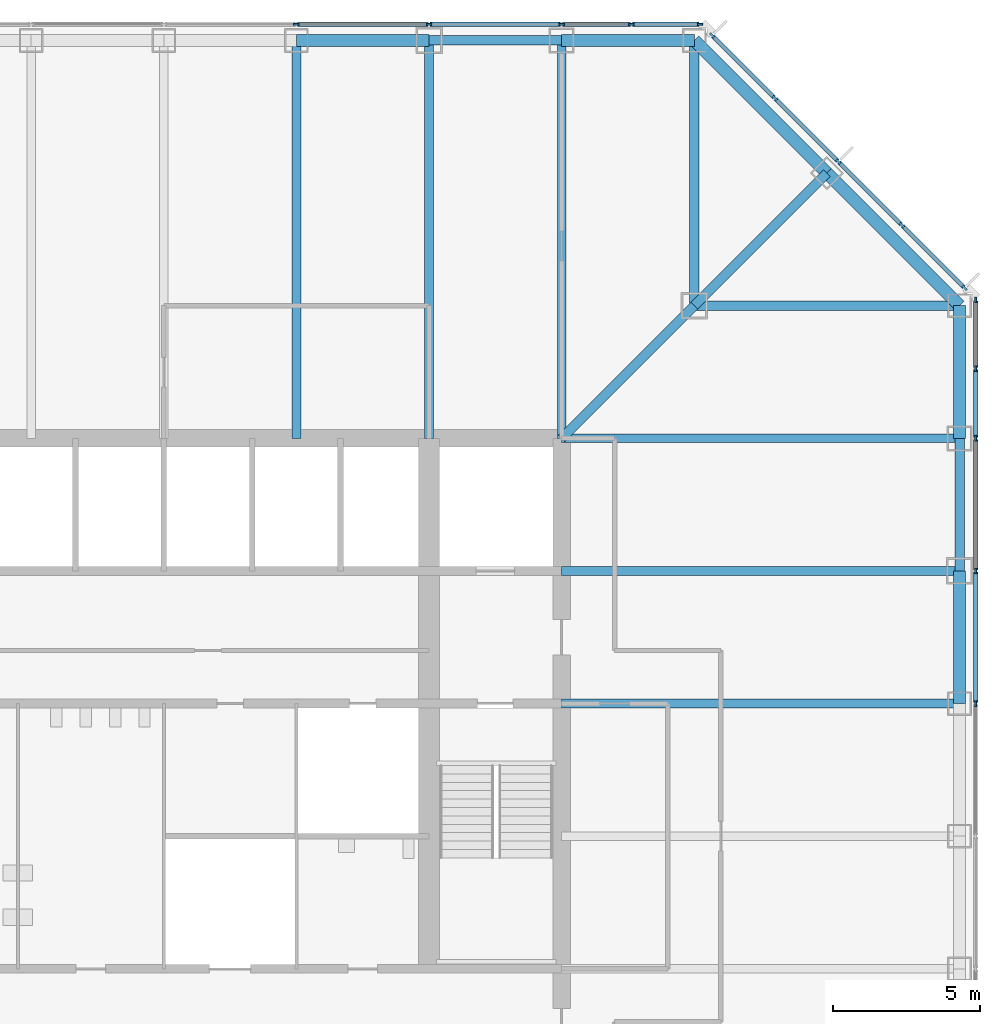
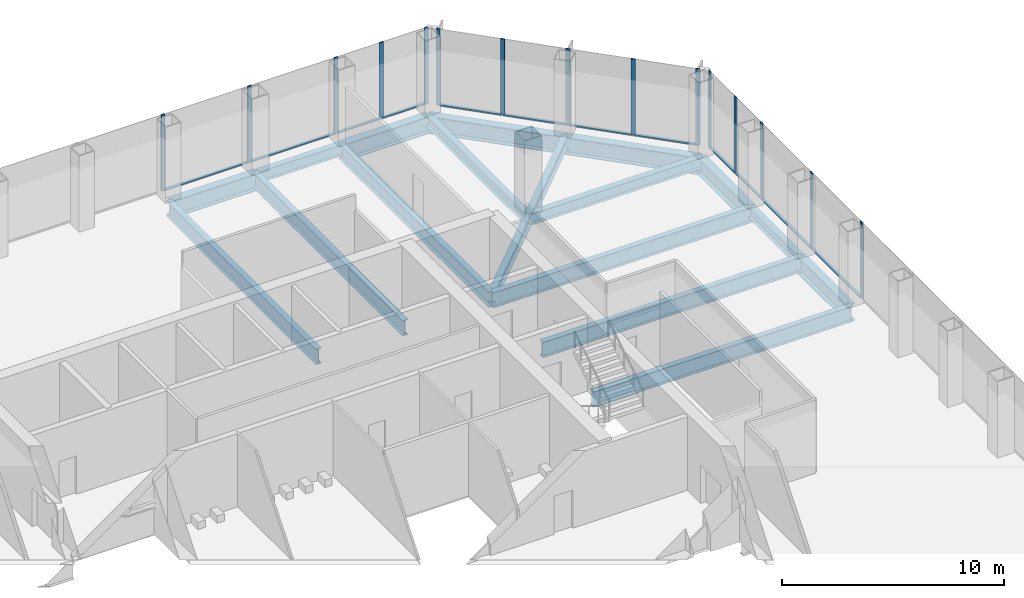
# One storey, part 6 of 12: 27 members, 18 beams, 3 elements without a shape of their own.
"""IFC4 building model written with IfcOpenShell, lengths in metres."""

from ifc_helpers import new_model, si_unit, direction, frame, origin, origin_2d, place, context, subcontext, project, spatial, rectangle, i_section, extrude, material, material_profile, profile_set, type_object, element, aggregate, save


model = new_model("IFC4")

# Units and contexts
model_context = context("Model", 3, precision=1e-05, world=origin(), true_north=direction((0.0, 1.0)))
body_context = subcontext(model_context, "Body", "Model", "MODEL_VIEW")
ifc_project = project(units=[si_unit("LENGTHUNIT", "METRE"), si_unit("AREAUNIT", "SQUARE_METRE"), si_unit("VOLUMEUNIT", "CUBIC_METRE"), si_unit("PLANEANGLEUNIT", "RADIAN"), si_unit("MASSUNIT", "GRAM", prefix="KILO")], contexts=[model_context])

# Site, building, storey
site_placement = place(None, origin())
site = spatial("IfcSite", under=ifc_project, at=site_placement, CompositionType="ELEMENT")
building_placement = place(site_placement, origin())
building = spatial("IfcBuilding", under=site, at=building_placement, Name="Corais Broadcast Tower", CompositionType="ELEMENT")
storey_placement = place(building_placement, frame((0.0, 0.0, 92.0)))
storey = spatial("IfcBuildingStorey", under=building, at=storey_placement, Name="L20", CompositionType="ELEMENT", Elevation=92.0)

# Beams
ifc_material_1 = material(Name="Steel ASTM A572 Grade 50", Category="steel")
ifc_material_profile_1 = material_profile(ifc_material_1, i_section(OverallWidth=0.323974609375, OverallDepth=0.611083984375, WebThickness=0.0126953125, FlangeThickness=0.01904296875, at=origin_2d()), Name="W610x155")
ifc_profile_set_1 = profile_set([ifc_material_profile_1], Name="Steel ASTM A572 Grade 50")
beam_type_1 = type_object("IfcBeamType", Name="Chamfer tie W610x155", PredefinedType="BEAM", material=ifc_profile_set_1)
beam_1_placement = place(storey_placement, frame((49.5, 49.5, -0.465576171875), z_axis=(-0.707106781187, -0.707106781187, 0.0), x_axis=(0.707106781187, -0.707106781187, 0.0)))
element("IfcBeam", 1, at=beam_1_placement, inside=storey, type_object=beam_type_1, Name="B5 M/14 to L/13", PredefinedType="BEAM", context=body_context, shape_type="SweptSolid", body=[
    extrude(i_section(OverallWidth=0.323974609375, OverallDepth=0.611083984375, WebThickness=0.0126953125, FlangeThickness=0.01904296875, at=origin_2d()), origin(), (0.0, 0.0, 1.0), 6.364013671875),
])
ifc_material_2 = material(Name="Steel ASTM A572 Grade 50", Category="steel")
ifc_material_profile_2 = material_profile(ifc_material_2, i_section(OverallWidth=0.323974609375, OverallDepth=0.611083984375, WebThickness=0.0126953125, FlangeThickness=0.01904296875, at=origin_2d()), Name="W610x155")
ifc_profile_set_2 = profile_set([ifc_material_profile_2], Name="Steel ASTM A572 Grade 50")
beam_type_2 = type_object("IfcBeamType", Name="Corner diagonal W610x155", PredefinedType="BEAM", material=ifc_profile_set_2)
beam_2_placement = place(storey_placement, frame((45.0, 45.0, -0.465576171875), z_axis=(-0.707106781187, -0.707106781187, 0.0), x_axis=(0.707106781187, -0.707106781187, 0.0)))
element("IfcBeam", 2, at=beam_2_placement, inside=storey, type_object=beam_type_2, Name="B6 L/13 to K/12", PredefinedType="BEAM", context=body_context, shape_type="SweptSolid", body=[
    extrude(i_section(OverallWidth=0.323974609375, OverallDepth=0.611083984375, WebThickness=0.0126953125, FlangeThickness=0.01904296875, at=origin_2d()), origin(), (0.0, 0.0, 1.0), 6.364013671875),
])
ifc_material_3 = material(Name="Steel ASTM A572 Grade 50", Category="steel")
ifc_material_profile_3 = material_profile(ifc_material_3, i_section(OverallWidth=0.323974609375, OverallDepth=0.611083984375, WebThickness=0.0126953125, FlangeThickness=0.01904296875, at=origin_2d()), Name="W610x155")
ifc_profile_set_3 = profile_set([ifc_material_profile_3], Name="Steel ASTM A572 Grade 50")
beam_type_3 = type_object("IfcBeamType", Name="Corner girder W610x155", PredefinedType="BEAM", material=ifc_profile_set_3)
for number, where, z_axis, x_axis, name in (
    (3, (45.0, 54.0, -0.465576171875), (0.0, -1.0, 0.0), (1.0, 0.0, 0.0), "B4 N/13 to L/13"),
    (4, (54.0, 45.0, -0.465576171875), (-1.0, 0.0, 0.0), (0.0, -1.0, 0.0), "B4 L/15 to L/13"),
):
    element("IfcBeam", number, at=place(storey_placement, frame(where, z_axis=z_axis, x_axis=x_axis)), inside=storey, type_object=beam_type_3, Name=name, PredefinedType="BEAM", context=body_context, shape_type="SweptSolid", body=[
        extrude(i_section(OverallWidth=0.323974609375, OverallDepth=0.611083984375, WebThickness=0.0126953125, FlangeThickness=0.01904296875, at=origin_2d()), origin(), (0.0, 0.0, 1.0), 9.0),
    ])
ifc_material_4 = material(Name="Steel ASTM A572 Grade 50", Category="steel")
ifc_material_profile_4 = material_profile(ifc_material_4, i_section(OverallWidth=0.2939453125, OverallDepth=0.85107421875, WebThickness=0.01611328125, FlangeThickness=0.02685546875, at=origin_2d()), Name="W840x226")
ifc_profile_set_4 = profile_set([ifc_material_profile_4], Name="Steel ASTM A572 Grade 50")
beam_type_4 = type_object("IfcBeamType", Name="Floor beam W840x226", PredefinedType="BEAM", material=ifc_profile_set_4)
for number, where, z_axis, x_axis, name in (
    (5, (31.5, 54.0, -0.58544921875), (0.0, -1.0, 0.0), (1.0, 0.0, 0.0), "B1 N/10 to K/10"),
    (6, (36.0, 54.0, -0.58544921875), (0.0, -1.0, 0.0), (1.0, 0.0, 0.0), "B1 N/11 to K/11"),
    (7, (40.5, 54.0, -0.58544921875), (0.0, -1.0, 0.0), (1.0, 0.0, 0.0), "B1 N/12 to K/12"),
    (8, (54.0, 31.5, -0.58544921875), (-1.0, 0.0, 0.0), (0.0, -1.0, 0.0), "B1 H/15 to H/12"),
    (9, (54.0, 36.0, -0.58544921875), (-1.0, 0.0, 0.0), (0.0, -1.0, 0.0), "B1 J/15 to J/12"),
    (10, (54.0, 40.5, -0.58544921875), (-1.0, 0.0, 0.0), (0.0, -1.0, 0.0), "B1 K/15 to K/12"),
):
    element("IfcBeam", number, at=place(storey_placement, frame(where, z_axis=z_axis, x_axis=x_axis)), inside=storey, type_object=beam_type_4, Name=name, PredefinedType="BEAM", context=body_context, shape_type="SweptSolid", body=[
        extrude(i_section(OverallWidth=0.2939453125, OverallDepth=0.85107421875, WebThickness=0.01611328125, FlangeThickness=0.02685546875, at=origin_2d()), origin(), (0.0, 0.0, 1.0), 13.5),
    ])

# Curtain wall, members
ifc_material_5 = material(Name="Aluminium and glass", Category="aluminium")
curtain_wall_type = type_object("IfcCurtainWallType", Name="Unitised fritted curtain wall CW1", PredefinedType="NOTDEFINED", material=ifc_material_5)
curtain_wall_1_placement = place(storey_placement, origin())
curtain_wall_1 = element("IfcCurtainWall", 11, at=curtain_wall_1_placement, inside=storey, type_object=curtain_wall_type, Name="CW1 curtain wall L20 4", PredefinedType="NOTDEFINED")
ifc_material_6 = material(Name="Aluminium 6063-T6", Category="aluminium")
ifc_material_profile_5 = material_profile(ifc_material_6, rectangle(XDim=0.06494140625, YDim=0.199951171875, at=origin_2d()), Name="Mullion CW1 65x200")
ifc_profile_set_5 = profile_set([ifc_material_profile_5], Name="Aluminium 6063-T6")
member_type_1 = type_object("IfcMemberType", Name="Mullion CW1 65x200", PredefinedType="MULLION", material=ifc_profile_set_5)
member_1_placement = place(storey_placement, frame((31.5, 54.550048828125, 0.0), z_axis=(0.0, 0.0, 1.0), x_axis=(0.0, 1.0, 0.0)))
member_1 = element("IfcMember", 12, at=member_1_placement, type_object=member_type_1, Name="CW1 mullion 7", PredefinedType="MULLION", context=body_context, shape_type="SweptSolid", body=[
    extrude(rectangle(XDim=0.06494140625, YDim=0.199951171875, at=origin_2d()), origin(), (0.0, 0.0, 1.0), 4.199951171875),
])
member_2_placement = place(storey_placement, frame((36.0, 54.550048828125, 0.0), z_axis=(0.0, 0.0, 1.0), x_axis=(0.0, 1.0, 0.0)))
member_2 = element("IfcMember", 13, at=member_2_placement, type_object=member_type_1, Name="CW1 mullion 8", PredefinedType="MULLION", context=body_context, shape_type="SweptSolid", body=[
    extrude(rectangle(XDim=0.06494140625, YDim=0.199951171875, at=origin_2d()), origin(), (0.0, 0.0, 1.0), 4.199951171875),
])
member_3_placement = place(storey_placement, frame((40.5, 54.550048828125, 0.0), z_axis=(0.0, 0.0, 1.0), x_axis=(0.0, 1.0, 0.0)))
member_3 = element("IfcMember", 14, at=member_3_placement, type_object=member_type_1, Name="CW1 mullion 9", PredefinedType="MULLION", context=body_context, shape_type="SweptSolid", body=[
    extrude(rectangle(XDim=0.06494140625, YDim=0.199951171875, at=origin_2d()), origin(), (0.0, 0.0, 1.0), 4.199951171875),
])
member_4_placement = place(storey_placement, frame((42.864013671875, 54.550048828125, 0.0), z_axis=(0.0, 0.0, 1.0), x_axis=(0.0, 1.0, 0.0)))
member_4 = element("IfcMember", 15, at=member_4_placement, type_object=member_type_1, Name="CW1 mullion 10", PredefinedType="MULLION", context=body_context, shape_type="SweptSolid", body=[
    extrude(rectangle(XDim=0.06494140625, YDim=0.199951171875, at=origin_2d()), origin(), (0.0, 0.0, 1.0), 4.199951171875),
])
member_5_placement = place(storey_placement, frame((45.1953125, 54.550048828125, 0.0), z_axis=(0.0, 0.0, 1.0), x_axis=(0.0, 1.0, 0.0)))
member_5 = element("IfcMember", 16, at=member_5_placement, type_object=member_type_1, Name="CW1 mullion 11", PredefinedType="MULLION", context=body_context, shape_type="SweptSolid", body=[
    extrude(rectangle(XDim=0.06494140625, YDim=0.199951171875, at=origin_2d()), origin(), (0.0, 0.0, 1.0), 4.199951171875),
])

curtain_wall_2_placement = place(storey_placement, origin())
curtain_wall_2 = element("IfcCurtainWall", 17, at=curtain_wall_2_placement, inside=storey, type_object=curtain_wall_type, Name="CW1 curtain wall L20 5", PredefinedType="NOTDEFINED")
member_6_placement = place(storey_placement, frame((45.6044921875, 54.17333984375, 0.0), z_axis=(0.0, 0.0, 1.0), x_axis=(0.707106781187, 0.707106781187, 0.0)))
member_6 = element("IfcMember", 18, at=member_6_placement, type_object=member_type_1, Name="CW1 mullion 1", PredefinedType="MULLION", context=body_context, shape_type="SweptSolid", body=[
    extrude(rectangle(XDim=0.06494140625, YDim=0.199951171875, at=origin_2d()), origin(), (0.0, 0.0, 1.0), 4.199951171875),
])
member_7_placement = place(storey_placement, frame((47.735107421875, 52.042724609375, 0.0), z_axis=(0.0, 0.0, 1.0), x_axis=(0.707106781187, 0.707106781187, 0.0)))
member_7 = element("IfcMember", 19, at=member_7_placement, type_object=member_type_1, Name="CW1 mullion 2", PredefinedType="MULLION", context=body_context, shape_type="SweptSolid", body=[
    extrude(rectangle(XDim=0.06494140625, YDim=0.199951171875, at=origin_2d()), origin(), (0.0, 0.0, 1.0), 4.199951171875),
])
member_8_placement = place(storey_placement, frame((49.888916015625, 49.888916015625, 0.0), z_axis=(0.0, 0.0, 1.0), x_axis=(0.707106781187, 0.707106781187, 0.0)))
member_8 = element("IfcMember", 20, at=member_8_placement, type_object=member_type_1, Name="CW1 mullion 3", PredefinedType="MULLION", context=body_context, shape_type="SweptSolid", body=[
    extrude(rectangle(XDim=0.06494140625, YDim=0.199951171875, at=origin_2d()), origin(), (0.0, 0.0, 1.0), 4.199951171875),
])
member_9_placement = place(storey_placement, frame((52.042724609375, 47.735107421875, 0.0), z_axis=(0.0, 0.0, 1.0), x_axis=(0.707106781187, 0.707106781187, 0.0)))
member_9 = element("IfcMember", 21, at=member_9_placement, type_object=member_type_1, Name="CW1 mullion 4", PredefinedType="MULLION", context=body_context, shape_type="SweptSolid", body=[
    extrude(rectangle(XDim=0.06494140625, YDim=0.199951171875, at=origin_2d()), origin(), (0.0, 0.0, 1.0), 4.199951171875),
])
member_10_placement = place(storey_placement, frame((54.17333984375, 45.6044921875, 0.0), z_axis=(0.0, 0.0, 1.0), x_axis=(0.707106781187, 0.707106781187, 0.0)))
member_10 = element("IfcMember", 22, at=member_10_placement, type_object=member_type_1, Name="CW1 mullion 5", PredefinedType="MULLION", context=body_context, shape_type="SweptSolid", body=[
    extrude(rectangle(XDim=0.06494140625, YDim=0.199951171875, at=origin_2d()), origin(), (0.0, 0.0, 1.0), 4.199951171875),
])

curtain_wall_3_placement = place(storey_placement, origin())
curtain_wall_3 = element("IfcCurtainWall", 23, at=curtain_wall_3_placement, inside=storey, type_object=curtain_wall_type, Name="CW1 curtain wall L20 6", PredefinedType="NOTDEFINED")
member_11_placement = place(storey_placement, frame((54.550048828125, 45.1953125, 0.0), z_axis=(0.0, 0.0, 1.0), x_axis=(1.0, 0.0, 0.0)))
member_11 = element("IfcMember", 24, at=member_11_placement, type_object=member_type_1, Name="CW1 mullion 1", PredefinedType="MULLION", context=body_context, shape_type="SweptSolid", body=[
    extrude(rectangle(XDim=0.06494140625, YDim=0.199951171875, at=origin_2d()), origin(), (0.0, 0.0, 1.0), 4.199951171875),
])
member_12_placement = place(storey_placement, frame((54.550048828125, 42.864013671875, 0.0), z_axis=(0.0, 0.0, 1.0), x_axis=(1.0, 0.0, 0.0)))
member_12 = element("IfcMember", 25, at=member_12_placement, type_object=member_type_1, Name="CW1 mullion 2", PredefinedType="MULLION", context=body_context, shape_type="SweptSolid", body=[
    extrude(rectangle(XDim=0.06494140625, YDim=0.199951171875, at=origin_2d()), origin(), (0.0, 0.0, 1.0), 4.199951171875),
])
member_13_placement = place(storey_placement, frame((54.550048828125, 40.5, 0.0), z_axis=(0.0, 0.0, 1.0), x_axis=(1.0, 0.0, 0.0)))
member_13 = element("IfcMember", 26, at=member_13_placement, type_object=member_type_1, Name="CW1 mullion 3", PredefinedType="MULLION", context=body_context, shape_type="SweptSolid", body=[
    extrude(rectangle(XDim=0.06494140625, YDim=0.199951171875, at=origin_2d()), origin(), (0.0, 0.0, 1.0), 4.199951171875),
])
member_14_placement = place(storey_placement, frame((54.550048828125, 36.0, 0.0), z_axis=(0.0, 0.0, 1.0), x_axis=(1.0, 0.0, 0.0)))
member_14 = element("IfcMember", 27, at=member_14_placement, type_object=member_type_1, Name="CW1 mullion 4", PredefinedType="MULLION", context=body_context, shape_type="SweptSolid", body=[
    extrude(rectangle(XDim=0.06494140625, YDim=0.199951171875, at=origin_2d()), origin(), (0.0, 0.0, 1.0), 4.199951171875),
])
member_15_placement = place(storey_placement, frame((54.550048828125, 31.5, 0.0), z_axis=(0.0, 0.0, 1.0), x_axis=(1.0, 0.0, 0.0)))
member_15 = element("IfcMember", 28, at=member_15_placement, type_object=member_type_1, Name="CW1 mullion 5", PredefinedType="MULLION", context=body_context, shape_type="SweptSolid", body=[
    extrude(rectangle(XDim=0.06494140625, YDim=0.199951171875, at=origin_2d()), origin(), (0.0, 0.0, 1.0), 4.199951171875),
])

# Beams
ifc_material_7 = material(Name="Steel ASTM A572 Grade 50", Category="steel")
ifc_material_profile_6 = material_profile(ifc_material_7, i_section(OverallWidth=0.323974609375, OverallDepth=0.611083984375, WebThickness=0.0126953125, FlangeThickness=0.01904296875, at=origin_2d()), Name="W610x155")
ifc_profile_set_6 = profile_set([ifc_material_profile_6], Name="Steel ASTM A572 Grade 50")
beam_type_5 = type_object("IfcBeamType", Name="Pinned spandrel W610x155", PredefinedType="BEAM", material=ifc_profile_set_6)
for number, where, z_axis, x_axis, name in (
    (29, (40.5, 54.0, -0.465576171875), (-1.0, 0.0, 0.0), (0.0, -1.0, 0.0), "SB6 N/12 to N/11"),
    (30, (54.0, 36.0, -0.465576171875), (0.0, 1.0, 0.0), (-1.0, 0.0, 0.0), "SB6 J/15 to K/15"),
):
    element("IfcBeam", number, at=place(storey_placement, frame(where, z_axis=z_axis, x_axis=x_axis)), inside=storey, type_object=beam_type_5, Name=name, PredefinedType="BEAM", context=body_context, shape_type="SweptSolid", body=[
        extrude(i_section(OverallWidth=0.323974609375, OverallDepth=0.611083984375, WebThickness=0.0126953125, FlangeThickness=0.01904296875, at=origin_2d()), origin(), (0.0, 0.0, 1.0), 4.5),
    ])
ifc_material_8 = material(Name="Steel ASTM A572 Grade 50", Category="steel")
ifc_material_profile_7 = material_profile(ifc_material_8, i_section(OverallWidth=0.4189453125, OverallDepth=0.94189453125, WebThickness=0.022216796875, FlangeThickness=0.03662109375, at=origin_2d()), Name="W920x345")
ifc_profile_set_7 = profile_set([ifc_material_profile_7], Name="Steel ASTM A572 Grade 50")
beam_type_6 = type_object("IfcBeamType", Name="Transfer spandrel W920x345", PredefinedType="BEAM", material=ifc_profile_set_7)
for number, where, z_axis, x_axis, name in (
    (31, (36.0, 54.0, -0.631103515625), (-1.0, 0.0, 0.0), (0.0, -1.0, 0.0), "SB4 N/11 to N/10"),
    (32, (45.0, 54.0, -0.631103515625), (-1.0, 0.0, 0.0), (0.0, -1.0, 0.0), "SB4 N/13 to N/12"),
):
    element("IfcBeam", number, at=place(storey_placement, frame(where, z_axis=z_axis, x_axis=x_axis)), inside=storey, type_object=beam_type_6, Name=name, PredefinedType="BEAM", context=body_context, shape_type="SweptSolid", body=[
        extrude(i_section(OverallWidth=0.4189453125, OverallDepth=0.94189453125, WebThickness=0.022216796875, FlangeThickness=0.03662109375, at=origin_2d()), origin(), (0.0, 0.0, 1.0), 4.5),
    ])
beam_3_placement = place(storey_placement, frame((49.5, 49.5, -0.631103515625), z_axis=(-0.707106781187, 0.707106781187, 0.0), x_axis=(-0.707106781187, -0.707106781187, 0.0)))
element("IfcBeam", 33, at=beam_3_placement, inside=storey, type_object=beam_type_6, Name="SB4 M/14 to N/13", PredefinedType="BEAM", context=body_context, shape_type="SweptSolid", body=[
    extrude(i_section(OverallWidth=0.4189453125, OverallDepth=0.94189453125, WebThickness=0.022216796875, FlangeThickness=0.03662109375, at=origin_2d()), origin(), (0.0, 0.0, 1.0), 6.364013671875),
])
for number, where, z_axis, x_axis, name in (
    (34, (54.0, 31.5, -0.631103515625), (0.0, 1.0, 0.0), (-1.0, 0.0, 0.0), "SB4 H/15 to J/15"),
    (35, (54.0, 40.5, -0.631103515625), (0.0, 1.0, 0.0), (-1.0, 0.0, 0.0), "SB4 K/15 to L/15"),
):
    element("IfcBeam", number, at=place(storey_placement, frame(where, z_axis=z_axis, x_axis=x_axis)), inside=storey, type_object=beam_type_6, Name=name, PredefinedType="BEAM", context=body_context, shape_type="SweptSolid", body=[
        extrude(i_section(OverallWidth=0.4189453125, OverallDepth=0.94189453125, WebThickness=0.022216796875, FlangeThickness=0.03662109375, at=origin_2d()), origin(), (0.0, 0.0, 1.0), 4.5),
    ])
beam_4_placement = place(storey_placement, frame((54.0, 45.0, -0.631103515625), z_axis=(-0.707106781187, 0.707106781187, 0.0), x_axis=(-0.707106781187, -0.707106781187, 0.0)))
element("IfcBeam", 36, at=beam_4_placement, inside=storey, type_object=beam_type_6, Name="SB4 L/15 to M/14", PredefinedType="BEAM", context=body_context, shape_type="SweptSolid", body=[
    extrude(i_section(OverallWidth=0.4189453125, OverallDepth=0.94189453125, WebThickness=0.022216796875, FlangeThickness=0.03662109375, at=origin_2d()), origin(), (0.0, 0.0, 1.0), 6.364013671875),
])

# Member
ifc_material_9 = material(Name="Aluminium 6063-T6", Category="aluminium")
ifc_material_profile_8 = material_profile(ifc_material_9, rectangle(XDim=0.139892578125, YDim=0.06494140625, at=origin_2d()), Name="Transom CW1 65x140")
ifc_profile_set_8 = profile_set([ifc_material_profile_8], Name="Aluminium 6063-T6")
member_type_2 = type_object("IfcMemberType", Name="Transom CW1 65x140", PredefinedType="USERDEFINED", material=ifc_profile_set_8)
member_16_placement = place(storey_placement, frame((31.532470703125, 54.550048828125, 0.032470703125), z_axis=(1.0, 0.0, 0.0), x_axis=(0.0, 1.0, 0.0)))
member_16 = element("IfcMember", 37, at=member_16_placement, type_object=member_type_2, Name="CW1 transom 7.1", ObjectType="TRANSOM", PredefinedType="USERDEFINED", context=body_context, shape_type="SweptSolid", body=[
    extrude(rectangle(XDim=0.139892578125, YDim=0.06494140625, at=origin_2d()), origin(), (0.0, 0.0, 1.0), 4.43505859375),
])

member_17_placement = place(storey_placement, frame((36.032470703125, 54.550048828125, 0.032470703125), z_axis=(1.0, 0.0, 0.0), x_axis=(0.0, 1.0, 0.0)))
member_17 = element("IfcMember", 38, at=member_17_placement, type_object=member_type_2, Name="CW1 transom 8.1", ObjectType="TRANSOM", PredefinedType="USERDEFINED", context=body_context, shape_type="SweptSolid", body=[
    extrude(rectangle(XDim=0.139892578125, YDim=0.06494140625, at=origin_2d()), origin(), (0.0, 0.0, 1.0), 4.43505859375),
])

member_18_placement = place(storey_placement, frame((40.532470703125, 54.550048828125, 0.032470703125), z_axis=(1.0, 0.0, 0.0), x_axis=(0.0, 1.0, 0.0)))
member_18 = element("IfcMember", 39, at=member_18_placement, type_object=member_type_2, Name="CW1 transom 9.1", ObjectType="TRANSOM", PredefinedType="USERDEFINED", context=body_context, shape_type="SweptSolid", body=[
    extrude(rectangle(XDim=0.139892578125, YDim=0.06494140625, at=origin_2d()), origin(), (0.0, 0.0, 1.0), 2.298828125),
])

member_19_placement = place(storey_placement, frame((42.896484375, 54.550048828125, 0.032470703125), z_axis=(1.0, 0.0, 0.0), x_axis=(0.0, 1.0, 0.0)))
member_19 = element("IfcMember", 40, at=member_19_placement, type_object=member_type_2, Name="CW1 transom 10.1", ObjectType="TRANSOM", PredefinedType="USERDEFINED", context=body_context, shape_type="SweptSolid", body=[
    extrude(rectangle(XDim=0.139892578125, YDim=0.06494140625, at=origin_2d()), origin(), (0.0, 0.0, 1.0), 2.266357421875),
])

aggregate(curtain_wall_1, [member_1, member_2, member_3, member_4, member_5, member_16, member_17, member_18, member_19])

member_20_placement = place(storey_placement, frame((45.62744140625, 54.150390625, 0.032470703125), z_axis=(0.707106781187, -0.707106781187, 0.0), x_axis=(0.707106781187, 0.707106781187, 0.0)))
member_20 = element("IfcMember", 41, at=member_20_placement, type_object=member_type_2, Name="CW1 transom 1.1", ObjectType="TRANSOM", PredefinedType="USERDEFINED", context=body_context, shape_type="SweptSolid", body=[
    extrude(rectangle(XDim=0.139892578125, YDim=0.06494140625, at=origin_2d()), origin(), (0.0, 0.0, 1.0), 2.9482421875),
])

member_21_placement = place(storey_placement, frame((47.758056640625, 52.019775390625, 0.032470703125), z_axis=(0.707106781187, -0.707106781187, 0.0), x_axis=(0.707106781187, 0.707106781187, 0.0)))
member_21 = element("IfcMember", 42, at=member_21_placement, type_object=member_type_2, Name="CW1 transom 2.1", ObjectType="TRANSOM", PredefinedType="USERDEFINED", context=body_context, shape_type="SweptSolid", body=[
    extrude(rectangle(XDim=0.139892578125, YDim=0.06494140625, at=origin_2d()), origin(), (0.0, 0.0, 1.0), 2.98095703125),
])

member_22_placement = place(storey_placement, frame((49.911865234375, 49.865966796875, 0.032470703125), z_axis=(0.707106781187, -0.707106781187, 0.0), x_axis=(0.707106781187, 0.707106781187, 0.0)))
member_22 = element("IfcMember", 43, at=member_22_placement, type_object=member_type_2, Name="CW1 transom 3.1", ObjectType="TRANSOM", PredefinedType="USERDEFINED", context=body_context, shape_type="SweptSolid", body=[
    extrude(rectangle(XDim=0.139892578125, YDim=0.06494140625, at=origin_2d()), origin(), (0.0, 0.0, 1.0), 2.98095703125),
])

member_23_placement = place(storey_placement, frame((52.065673828125, 47.712158203125, 0.032470703125), z_axis=(0.707106781187, -0.707106781187, 0.0), x_axis=(0.707106781187, 0.707106781187, 0.0)))
member_23 = element("IfcMember", 44, at=member_23_placement, type_object=member_type_2, Name="CW1 transom 4.1", ObjectType="TRANSOM", PredefinedType="USERDEFINED", context=body_context, shape_type="SweptSolid", body=[
    extrude(rectangle(XDim=0.139892578125, YDim=0.06494140625, at=origin_2d()), origin(), (0.0, 0.0, 1.0), 2.9482421875),
])

aggregate(curtain_wall_2, [member_6, member_7, member_8, member_9, member_10, member_20, member_21, member_22, member_23])

member_24_placement = place(storey_placement, frame((54.550048828125, 45.162841796875, 0.032470703125), z_axis=(0.0, -1.0, 0.0), x_axis=(1.0, 0.0, 0.0)))
member_24 = element("IfcMember", 45, at=member_24_placement, type_object=member_type_2, Name="CW1 transom 1.1", ObjectType="TRANSOM", PredefinedType="USERDEFINED", context=body_context, shape_type="SweptSolid", body=[
    extrude(rectangle(XDim=0.139892578125, YDim=0.06494140625, at=origin_2d()), origin(), (0.0, 0.0, 1.0), 2.266357421875),
])

member_25_placement = place(storey_placement, frame((54.550048828125, 42.831298828125, 0.032470703125), z_axis=(0.0, -1.0, 0.0), x_axis=(1.0, 0.0, 0.0)))
member_25 = element("IfcMember", 46, at=member_25_placement, type_object=member_type_2, Name="CW1 transom 2.1", ObjectType="TRANSOM", PredefinedType="USERDEFINED", context=body_context, shape_type="SweptSolid", body=[
    extrude(rectangle(XDim=0.139892578125, YDim=0.06494140625, at=origin_2d()), origin(), (0.0, 0.0, 1.0), 2.298828125),
])

member_26_placement = place(storey_placement, frame((54.550048828125, 40.467529296875, 0.032470703125), z_axis=(0.0, -1.0, 0.0), x_axis=(1.0, 0.0, 0.0)))
member_26 = element("IfcMember", 47, at=member_26_placement, type_object=member_type_2, Name="CW1 transom 3.1", ObjectType="TRANSOM", PredefinedType="USERDEFINED", context=body_context, shape_type="SweptSolid", body=[
    extrude(rectangle(XDim=0.139892578125, YDim=0.06494140625, at=origin_2d()), origin(), (0.0, 0.0, 1.0), 4.43505859375),
])

member_27_placement = place(storey_placement, frame((54.550048828125, 35.967529296875, 0.032470703125), z_axis=(0.0, -1.0, 0.0), x_axis=(1.0, 0.0, 0.0)))
member_27 = element("IfcMember", 48, at=member_27_placement, type_object=member_type_2, Name="CW1 transom 4.1", ObjectType="TRANSOM", PredefinedType="USERDEFINED", context=body_context, shape_type="SweptSolid", body=[
    extrude(rectangle(XDim=0.139892578125, YDim=0.06494140625, at=origin_2d()), origin(), (0.0, 0.0, 1.0), 4.43505859375),
])

aggregate(curtain_wall_3, [member_11, member_12, member_13, member_14, member_15, member_24, member_25, member_26, member_27])

save(model, "model.ifc")
